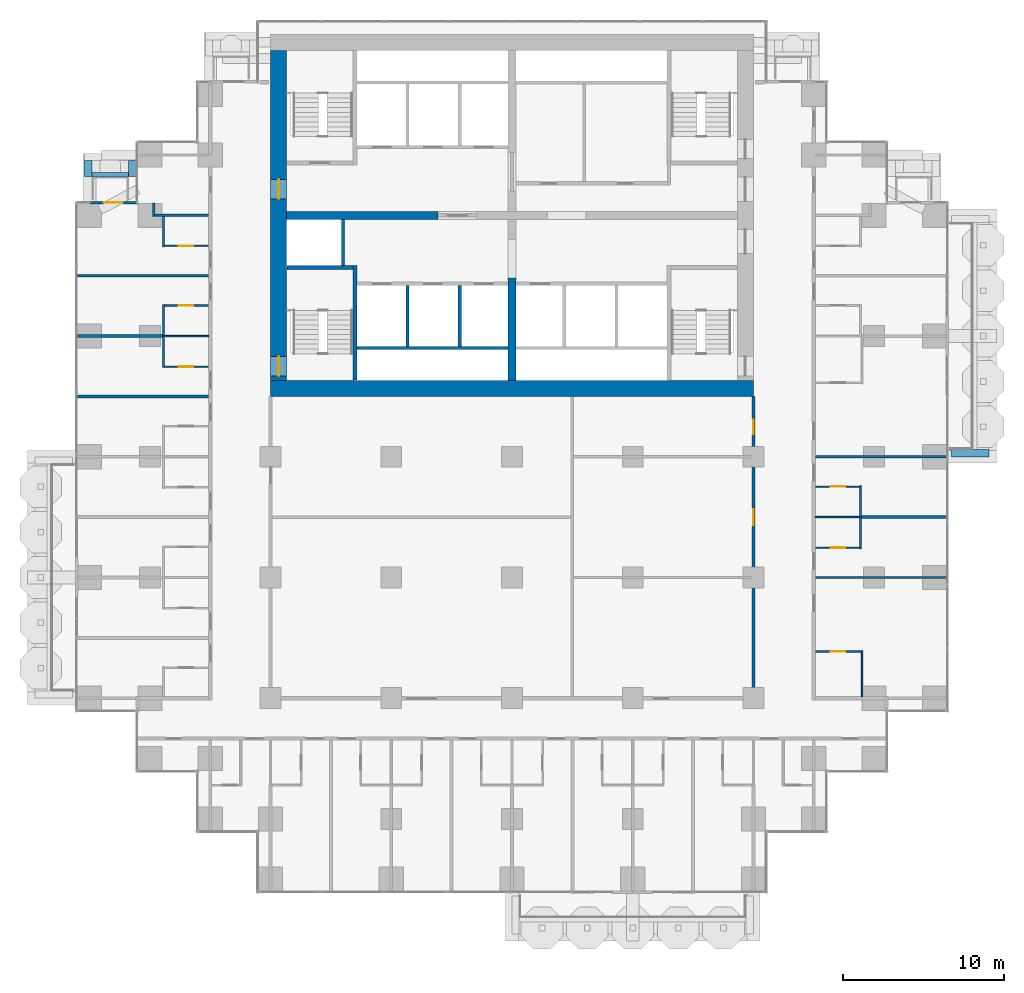
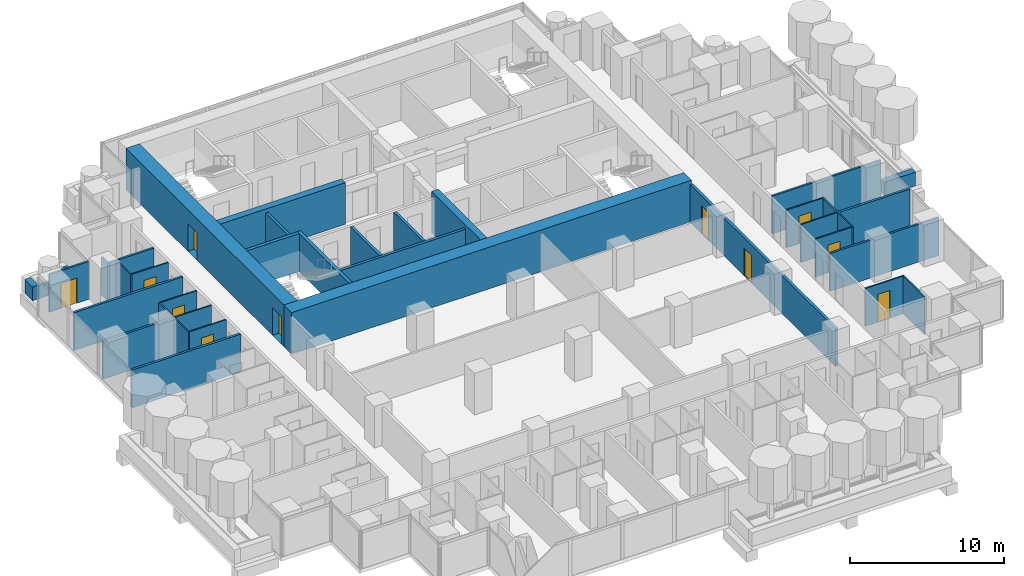
# One storey, part 14 of 20: 36 walls, 11 doors, 11 openings.
"""IFC4 building model written with IfcOpenShell, lengths in metres."""

from ifc_helpers import new_model, si_unit, direction, frame, frame_2d, origin, place, context, subcontext, project, spatial, rectangle, extrude, material, layer, layer_set, type_object, element, fill, save


model = new_model("IFC4")

# Units and contexts
model_context = context("Model", 3, precision=1e-05, world=origin(), true_north=direction((0.0, 1.0)))
body_context = subcontext(model_context, "Body", "Model", "MODEL_VIEW")
ifc_project = project(units=[si_unit("LENGTHUNIT", "METRE"), si_unit("AREAUNIT", "SQUARE_METRE"), si_unit("VOLUMEUNIT", "CUBIC_METRE"), si_unit("PLANEANGLEUNIT", "RADIAN"), si_unit("MASSUNIT", "GRAM", prefix="KILO")], contexts=[model_context])

# Site, building, storey
site_placement = place(None, origin())
site = spatial("IfcSite", under=ifc_project, at=site_placement, CompositionType="ELEMENT")
building_placement = place(site_placement, origin())
building = spatial("IfcBuilding", under=site, at=building_placement, Name="Pilkhan Gate Tower", CompositionType="ELEMENT")
storey_placement = place(building_placement, frame((0.0, 0.0, 85.699951171875)))
storey = spatial("IfcBuildingStorey", under=building, at=storey_placement, Name="L20", CompositionType="ELEMENT", Elevation=85.699951171875)

# Walls
ifc_material_1 = material(Name="Dense blockwork", Category="masonry")
ifc_layer_1 = layer(ifc_material_1, 0.175048828125)
ifc_layer_set_1 = layer_set([ifc_layer_1], Name="Acoustic party wall PW175")
wall_type_1 = type_object("IfcWallType", Name="Acoustic party wall PW175", PredefinedType="PARTITIONING", material=ifc_layer_set_1)
wall_1_placement = place(storey_placement, frame((96.699951171875, 63.75, 0.0), z_axis=(0.0, 0.0, 1.0), x_axis=(1.0, 0.0, 0.0)))
element("IfcWall", 1, at=wall_1_placement, inside=storey, type_object=wall_type_1, Name="Partition L20", PredefinedType="PARTITIONING", context=body_context, shape_type="SweptSolid", body=[
    extrude(rectangle(XDim=5.31494140625, YDim=0.175048828125, at=frame_2d((2.657470703125, 0.0))), origin(), (0.0, 0.0, 1.0), 3.0),
])
wall_2_placement = place(storey_placement, frame((47.985107421875, 71.25, 0.0), z_axis=(0.0, 0.0, 1.0), x_axis=(1.0, 0.0, 0.0)))
element("IfcWall", 2, at=wall_2_placement, inside=storey, type_object=wall_type_1, Name="Partition L20", PredefinedType="PARTITIONING", context=body_context, shape_type="SweptSolid", body=[
    extrude(rectangle(XDim=8.164794921875, YDim=0.175048828125, at=frame_2d((4.08251953125, 0.0))), origin(), (0.0, 0.0, 1.0), 3.0),
])
wall_3_placement = place(storey_placement, frame((47.985107421875, 75.0, 0.0), z_axis=(0.0, 0.0, 1.0), x_axis=(1.0, 0.0, 0.0)))
element("IfcWall", 3, at=wall_3_placement, inside=storey, type_object=wall_type_1, Name="Partition L20", PredefinedType="PARTITIONING", context=body_context, shape_type="SweptSolid", body=[
    extrude(rectangle(XDim=5.31494140625, YDim=0.175048828125, at=frame_2d((2.657470703125, 0.0))), origin(), (0.0, 0.0, 1.0), 3.0),
])
wall_4_placement = place(storey_placement, frame((47.985107421875, 78.75, 0.0), z_axis=(0.0, 0.0, 1.0), x_axis=(1.0, 0.0, 0.0)))
element("IfcWall", 4, at=wall_4_placement, inside=storey, type_object=wall_type_1, Name="Partition L20", PredefinedType="PARTITIONING", context=body_context, shape_type="SweptSolid", body=[
    extrude(rectangle(XDim=8.164794921875, YDim=0.175048828125, at=frame_2d((4.08251953125, 0.0))), origin(), (0.0, 0.0, 1.0), 3.0),
])
ifc_material_2 = material(Name="Concrete C40/50", Category="concrete")
ifc_layer_2 = layer(ifc_material_2, 0.25)
ifc_layer_set_2 = layer_set([ifc_layer_2], Name="Balcony planter BP250")
wall_type_2 = type_object("IfcWallType", Name="Balcony planter BP250", PredefinedType="USERDEFINED", material=ifc_layer_set_2)
wall_5_placement = place(storey_placement, frame((48.89990234375, 85.02490234375, 0.0), z_axis=(0.0, 0.0, 1.0), x_axis=(1.0, 0.0, 0.0)))
element("IfcWall", 5, at=wall_5_placement, inside=storey, type_object=wall_type_2, Name="Balcony planter L20 N", ObjectType="BALCONY PLANTER", PredefinedType="USERDEFINED", context=body_context, shape_type="SweptSolid", body=[
    extrude(rectangle(XDim=2.280029296875, YDim=0.25, at=frame_2d((1.14013671875, 0.0))), origin(), (0.0, 0.0, 1.0), 1.0),
])
ifc_material_3 = material(Name="Board-marked Concrete C40/50", Category="concrete")
ifc_layer_3 = layer(ifc_material_3, 0.449951171875)
ifc_layer_set_3 = layer_set([ifc_layer_3], Name="Balcony planter lip BL450")
wall_type_3 = type_object("IfcWallType", Name="Balcony planter lip BL450", PredefinedType="USERDEFINED", material=ifc_layer_set_3)
wall_6_placement = place(storey_placement, frame((102.300048828125, 67.72509765625, 0.0), z_axis=(0.0, 0.0, 1.0), x_axis=(1.0, 0.0, 0.0)))
element("IfcWall", 6, at=wall_6_placement, inside=storey, type_object=wall_type_3, Name="Balcony planter L20 E", ObjectType="BALCONY PLANTER", PredefinedType="USERDEFINED", context=body_context, shape_type="SweptSolid", body=[
    extrude(rectangle(XDim=2.349853515625, YDim=0.449951171875, at=frame_2d((1.1748046875, 0.0))), origin(), (0.0, 0.0, 1.0), 1.10009765625),
])
for number, where, z_axis, x_axis, name in (
    (7, (48.675048828125, 84.89990234375, 0.0), (0.0, 0.0, 1.0), (0.0, 1.0, 0.0), "Balcony planter L20 N"),
    (8, (51.405029296875, 84.89990234375, 0.0), (0.0, 0.0, 1.0), (0.0, 1.0, 0.0), "Balcony planter L20 N"),
):
    element("IfcWall", number, at=place(storey_placement, frame(where, z_axis=z_axis, x_axis=x_axis)), inside=storey, type_object=wall_type_3, Name=name, ObjectType="BALCONY PLANTER", PredefinedType="USERDEFINED", context=body_context, shape_type="SweptSolid", body=[
        extrude(rectangle(XDim=1.0, YDim=0.449951171875, at=frame_2d((0.5, 0.0))), origin(), (0.0, 0.0, 1.0), 1.10009765625),
    ])
ifc_material_4 = material(Name="Concrete C70/85", Category="concrete")
ifc_layer_4 = layer(ifc_material_4, 1.0)
ifc_layer_set_4 = layer_set([ifc_layer_4], Name="Core wall CW1000 C70/85")
wall_type_4 = type_object("IfcWallType", Name="Core wall CW1000 C70/85", PredefinedType="SHEAR", material=ifc_layer_set_4)
wall_7_placement = place(storey_placement, frame((60.0, 71.75, 0.0), z_axis=(0.0, 0.0, 1.0), x_axis=(1.0, 0.0, 0.0)))
element("IfcWall", 9, at=wall_7_placement, inside=storey, type_object=wall_type_4, Name="Core wall S L20", PredefinedType="SHEAR", context=body_context, shape_type="SweptSolid", body=[
    extrude(rectangle(XDim=30.0, YDim=1.0, at=frame_2d((15.0, 0.0))), origin(), (0.0, 0.0, 1.0), 3.300048828125),
])

# Wall, openings, doors
wall_8_placement = place(storey_placement, frame((60.5, 92.75, 0.0), z_axis=(0.0, 0.0, 1.0), x_axis=(0.0, -1.0, 0.0)))
wall_8 = element("IfcWall", 10, at=wall_8_placement, inside=storey, type_object=wall_type_4, Name="Core wall W L20", PredefinedType="SHEAR", context=body_context, shape_type="SweptSolid", body=[
    extrude(rectangle(XDim=20.5, YDim=1.0, at=frame_2d((10.25, 0.0))), origin(), (0.0, 0.0, 1.0), 3.300048828125),
])
opening_1_placement = place(wall_8_placement, frame((19.02490234375, 0.0, 0.0)))
opening_1 = element("IfcOpeningElement", 11, at=opening_1_placement, cuts=wall_8, Name="Opening L20-04", PredefinedType="OPENING", context=body_context, shape_type="SweptSolid", body=[
    extrude(rectangle(XDim=1.199951171875, YDim=2.199951171875, at=frame_2d((0.60009765625, 1.10009765625))), frame((0.0, 0.510009765625, 0.0), z_axis=(0.0, -1.0, 0.0), x_axis=(1.0, 0.0, 0.0)), (0.0, 0.0, 1.0), 1.02001953125),
])
opening_2_placement = place(wall_8_placement, frame((8.02490234375, 0.0, 0.0)))
opening_2 = element("IfcOpeningElement", 12, at=opening_2_placement, cuts=wall_8, Name="Opening L20-55", PredefinedType="OPENING", context=body_context, shape_type="SweptSolid", body=[
    extrude(rectangle(XDim=1.199951171875, YDim=2.199951171875, at=frame_2d((0.60009765625, 1.10009765625))), frame((0.0, 0.510009765625, 0.0), z_axis=(0.0, -1.0, 0.0), x_axis=(1.0, 0.0, 0.0)), (0.0, 0.0, 1.0), 1.02001953125),
])
ifc_material_5 = material(Name="Steel door, 120 minute fire resisting, self-closing", Category="steel")
door_type_1 = type_object("IfcDoorType", Name="Firefighting lobby door D10 1200x2200", OperationType="SINGLE_SWING_LEFT", PredefinedType="DOOR", material=ifc_material_5)
door_1_placement = place(opening_2_placement, origin())
door_1 = element("IfcDoor", 13, at=door_1_placement, inside=storey, type_object=door_type_1, Name="Core door", OperationType="SINGLE_SWING_LEFT", OverallHeight=2.199951171875, OverallWidth=1.199951171875, PredefinedType="DOOR", context=body_context, shape_type="SweptSolid", body=[
    extrude(rectangle(XDim=1.199951171875, YDim=2.199951171875, at=frame_2d((0.60009765625, 1.10009765625))), frame((0.0, 0.02490234375, 0.0), z_axis=(0.0, -1.0, 0.0), x_axis=(1.0, 0.0, 0.0)), (0.0, 0.0, 1.0), 0.050048828125),
])
fill(opening_2, door_1)
ifc_material_6 = material(Name="Steel door, 120 minute fire resisting, panic bar", Category="steel")
door_type_2 = type_object("IfcDoorType", Name="Stair door D11 1200x2200", OperationType="SINGLE_SWING_LEFT", PredefinedType="DOOR", material=ifc_material_6)
door_2_placement = place(opening_1_placement, origin())
door_2 = element("IfcDoor", 14, at=door_2_placement, inside=storey, type_object=door_type_2, Name="Stair ST2 door", OperationType="SINGLE_SWING_LEFT", OverallHeight=2.199951171875, OverallWidth=1.199951171875, PredefinedType="DOOR", context=body_context, shape_type="SweptSolid", body=[
    extrude(rectangle(XDim=1.199951171875, YDim=2.199951171875, at=frame_2d((0.60009765625, 1.10009765625))), frame((0.0, 0.02490234375, 0.0), z_axis=(0.0, -1.0, 0.0), x_axis=(1.0, 0.0, 0.0)), (0.0, 0.0, 1.0), 0.050048828125),
])
fill(opening_1, door_2)

ifc_layer_5 = layer(ifc_material_1, 0.199951171875)
ifc_layer_set_5 = layer_set([ifc_layer_5], Name="Corridor wall FW200")
wall_type_5 = type_object("IfcWallType", Name="Corridor wall FW200", PredefinedType="PARTITIONING", material=ifc_layer_set_5)
wall_9_placement = place(storey_placement, frame((90.0, 52.39990234375, 0.0), z_axis=(0.0, 0.0, 1.0), x_axis=(0.0, 1.0, 0.0)))
wall_9 = element("IfcWall", 15, at=wall_9_placement, inside=storey, type_object=wall_type_5, Name="Partition L20", PredefinedType="PARTITIONING", context=body_context, shape_type="SweptSolid", body=[
    extrude(rectangle(XDim=18.840087890625, YDim=0.199951171875, at=frame_2d((9.419921875, 0.0))), origin(), (0.0, 0.0, 1.0), 3.0),
])
opening_3_placement = place(wall_9_placement, frame((10.85009765625, 0.0, 0.0)))
opening_3 = element("IfcOpeningElement", 16, at=opening_3_placement, cuts=wall_9, Name="Opening L20-66", PredefinedType="OPENING", context=body_context, shape_type="SweptSolid", body=[
    extrude(rectangle(XDim=1.0, YDim=2.199951171875, at=frame_2d((0.5, 1.10009765625))), frame((0.0, 0.10986328125, 0.0), z_axis=(0.0, -1.0, 0.0), x_axis=(1.0, 0.0, 0.0)), (0.0, 0.0, 1.0), 0.219970703125),
])
opening_4_placement = place(wall_9_placement, frame((16.5, 0.0, 0.0)))
opening_4 = element("IfcOpeningElement", 17, at=opening_4_placement, cuts=wall_9, Name="Opening L20-68", PredefinedType="OPENING", context=body_context, shape_type="SweptSolid", body=[
    extrude(rectangle(XDim=0.89990234375, YDim=2.199951171875, at=frame_2d((0.449951171875, 1.10009765625))), frame((0.0, 0.10986328125, 0.0), z_axis=(0.0, -1.0, 0.0), x_axis=(1.0, 0.0, 0.0)), (0.0, 0.0, 1.0), 0.219970703125),
])
ifc_material_7 = material(Name="Timber flush door, 30 minute fire resisting", Category="wood")
door_type_3 = type_object("IfcDoorType", Name="Room door D03 1000x2200", OperationType="SINGLE_SWING_LEFT", PredefinedType="DOOR", material=ifc_material_7)
door_3_placement = place(opening_3_placement, origin())
door_3 = element("IfcDoor", 18, at=door_3_placement, inside=storey, type_object=door_type_3, Name="Room door", OperationType="SINGLE_SWING_LEFT", OverallHeight=2.199951171875, OverallWidth=1.0, PredefinedType="DOOR", context=body_context, shape_type="SweptSolid", body=[
    extrude(rectangle(XDim=1.0, YDim=2.199951171875, at=frame_2d((0.5, 1.10009765625))), frame((0.0, 0.02490234375, 0.0), z_axis=(0.0, -1.0, 0.0), x_axis=(1.0, 0.0, 0.0)), (0.0, 0.0, 1.0), 0.050048828125),
])
fill(opening_3, door_3)
ifc_material_8 = material(Name="Timber flush door, 60 minute fire resisting, self-closing", Category="wood")
door_type_4 = type_object("IfcDoorType", Name="Store door D05 900x2200", OperationType="SINGLE_SWING_LEFT", PredefinedType="DOOR", material=ifc_material_8)
door_4_placement = place(opening_4_placement, origin())
door_4 = element("IfcDoor", 19, at=door_4_placement, inside=storey, type_object=door_type_4, Name="Store door", OperationType="SINGLE_SWING_LEFT", OverallHeight=2.199951171875, OverallWidth=0.89990234375, PredefinedType="DOOR", context=body_context, shape_type="SweptSolid", body=[
    extrude(rectangle(XDim=0.89990234375, YDim=2.199951171875, at=frame_2d((0.449951171875, 1.10009765625))), frame((0.0, 0.02490234375, 0.0), z_axis=(0.0, -1.0, 0.0), x_axis=(1.0, 0.0, 0.0)), (0.0, 0.0, 1.0), 0.050048828125),
])
fill(opening_4, door_4)

# Wall, opening, door
ifc_material_9 = material(Name="Pale anodised aluminium, clear laminated glazing", Category="aluminium")
ifc_layer_6 = layer(ifc_material_9, 0.14990234375)
ifc_layer_set_6 = layer_set([ifc_layer_6], Name="Facade infill wall IW150")
wall_type_6 = type_object("IfcWallType", Name="Facade infill wall IW150", PredefinedType="SOLIDWALL", material=ifc_layer_set_6)
wall_10_placement = place(storey_placement, frame((48.75, 83.294921875, 0.0), z_axis=(0.0, 0.0, 1.0), x_axis=(1.0, 0.0, 0.0)))
wall_10 = element("IfcWall", 20, at=wall_10_placement, inside=storey, type_object=wall_type_6, Name="Infill wall L20 N", PredefinedType="SOLIDWALL", context=body_context, shape_type="SweptSolid", body=[
    extrude(rectangle(XDim=2.955078125, YDim=0.14990234375, at=frame_2d((1.4775390625, 0.0))), origin(), (0.0, 0.0, 1.0), 3.0),
])
opening_5_placement = place(wall_10_placement, frame((0.87744140625, 0.0, 0.0)))
opening_5 = element("IfcOpeningElement", 21, at=opening_5_placement, cuts=wall_10, Name="Opening D1L", PredefinedType="OPENING", context=body_context, shape_type="SweptSolid", body=[
    extrude(rectangle(XDim=1.199951171875, YDim=2.0, at=frame_2d((0.60009765625, 1.0))), frame((0.0, 0.0849609375, 0.0), z_axis=(0.0, -1.0, 0.0), x_axis=(1.0, 0.0, 0.0)), (0.0, 0.0, 1.0), 0.169921875),
])
ifc_material_10 = material(Name="Pale anodised aluminium, clear glazing", Category="aluminium")
door_type_5 = type_object("IfcDoorType", Name="Balcony door D1L 1200x2000", OperationType="SINGLE_SWING_LEFT", PredefinedType="DOOR", material=ifc_material_10)
door_5_placement = place(opening_5_placement, origin())
door_5 = element("IfcDoor", 22, at=door_5_placement, inside=storey, type_object=door_type_5, Name="Balcony door L20", OperationType="SINGLE_SWING_LEFT", OverallHeight=2.0, OverallWidth=1.199951171875, PredefinedType="DOOR", context=body_context, shape_type="SweptSolid", body=[
    extrude(rectangle(XDim=1.199951171875, YDim=2.0, at=frame_2d((0.60009765625, 1.0))), frame((0.0, 0.02490234375, 0.0), z_axis=(0.0, -1.0, 0.0), x_axis=(1.0, 0.0, 0.0)), (0.0, 0.0, 1.0), 0.050048828125),
])
fill(opening_5, door_5)

# Walls
ifc_material_11 = material(Name="Blockwork partition, plastered both sides", Category="masonry")
ifc_layer_7 = layer(ifc_material_11, 0.14990234375)
ifc_layer_set_7 = layer_set([ifc_layer_7], Name="Partition PW150")
wall_type_7 = type_object("IfcWallType", Name="Partition PW150", PredefinedType="PARTITIONING", material=ifc_layer_set_7)
for number, where, z_axis, x_axis, name in (
    (23, (93.85009765625, 60.0, 0.0), (0.0, 0.0, 1.0), (1.0, 0.0, 0.0), "Partition L20"),
    (24, (93.85009765625, 67.5, 0.0), (0.0, 0.0, 1.0), (1.0, 0.0, 0.0), "Partition L20"),
):
    element("IfcWall", number, at=place(storey_placement, frame(where, z_axis=z_axis, x_axis=x_axis)), inside=storey, type_object=wall_type_7, Name=name, PredefinedType="PARTITIONING", context=body_context, shape_type="SweptSolid", body=[
        extrude(rectangle(XDim=8.164794921875, YDim=0.14990234375, at=frame_2d((4.08251953125, 0.0))), origin(), (0.0, 0.0, 1.0), 3.0),
    ])
wall_11_placement = place(storey_placement, frame((52.81005859375, 82.5, 0.0), z_axis=(0.0, 0.0, 1.0), x_axis=(1.0, 0.0, 0.0)))
element("IfcWall", 25, at=wall_11_placement, inside=storey, type_object=wall_type_7, Name="Partition L20", PredefinedType="PARTITIONING", context=body_context, shape_type="SweptSolid", body=[
    extrude(rectangle(XDim=3.33984375, YDim=0.14990234375, at=frame_2d((1.669921875, 0.0))), origin(), (0.0, 0.0, 1.0), 3.0),
])
wall_12_placement = place(storey_placement, frame((52.735107421875, 82.425048828125, 0.0), z_axis=(0.0, 0.0, 1.0), x_axis=(0.0, 1.0, 0.0)))
element("IfcWall", 26, at=wall_12_placement, inside=storey, type_object=wall_type_7, Name="Partition L20", PredefinedType="PARTITIONING", context=body_context, shape_type="SweptSolid", body=[
    extrude(rectangle(XDim=0.83984375, YDim=0.14990234375, at=frame_2d((0.419921875, 0.0))), origin(), (0.0, 0.0, 1.0), 3.0),
])
ifc_material_12 = material(Name="Reinforced blockwork shaft wall, 120 minute fire resisting", Category="masonry")
ifc_layer_8 = layer(ifc_material_12, 0.199951171875)
ifc_layer_set_8 = layer_set([ifc_layer_8], Name="Shaft wall SW200")
wall_type_8 = type_object("IfcWallType", Name="Shaft wall SW200", PredefinedType="PARTITIONING", material=ifc_layer_set_8)
wall_13_placement = place(storey_placement, frame((65.375, 74.25, 0.0), z_axis=(0.0, 0.0, 1.0), x_axis=(1.0, 0.0, 0.0)))
element("IfcWall", 27, at=wall_13_placement, inside=storey, type_object=wall_type_8, Name="Partition L20", PredefinedType="PARTITIONING", context=body_context, shape_type="SweptSolid", body=[
    extrude(rectangle(XDim=9.364990234375, YDim=0.199951171875, at=frame_2d((4.6826171875, 0.0))), origin(), (0.0, 0.0, 1.0), 3.0),
])
wall_14_placement = place(storey_placement, frame((64.5, 79.375, 0.0), z_axis=(0.0, 0.0, 1.0), x_axis=(0.0, 1.0, 0.0)))
element("IfcWall", 28, at=wall_14_placement, inside=storey, type_object=wall_type_8, Name="Partition L20", PredefinedType="PARTITIONING", context=body_context, shape_type="SweptSolid", body=[
    extrude(rectangle(XDim=2.864990234375, YDim=0.199951171875, at=frame_2d((1.4326171875, 0.0))), origin(), (0.0, 0.0, 1.0), 3.0),
])
for number, where, z_axis, x_axis, name in (
    (29, (68.5, 74.35009765625, 0.0), (0.0, 0.0, 1.0), (0.0, 1.0, 0.0), "Partition L20"),
    (30, (71.75, 74.35009765625, 0.0), (0.0, 0.0, 1.0), (0.0, 1.0, 0.0), "Partition L20"),
):
    element("IfcWall", number, at=place(storey_placement, frame(where, z_axis=z_axis, x_axis=x_axis)), inside=storey, type_object=wall_type_8, Name=name, PredefinedType="PARTITIONING", context=body_context, shape_type="SweptSolid", body=[
        extrude(rectangle(XDim=3.7998046875, YDim=0.199951171875, at=frame_2d((1.89990234375, 0.0))), origin(), (0.0, 0.0, 1.0), 3.0),
    ])
ifc_layer_9 = layer(ifc_material_4, 0.5)
ifc_layer_set_9 = layer_set([ifc_layer_9], Name="Spine wall SW500 C70/85")
wall_type_9 = type_object("IfcWallType", Name="Spine wall SW500 C70/85", PredefinedType="SHEAR", material=ifc_layer_set_9)
wall_15_placement = place(storey_placement, frame((61.0, 82.5, 0.0), z_axis=(0.0, 0.0, 1.0), x_axis=(1.0, 0.0, 0.0)))
element("IfcWall", 31, at=wall_15_placement, inside=storey, type_object=wall_type_9, Name="Spine wall SP-EW1 L20", PredefinedType="SHEAR", context=body_context, shape_type="SweptSolid", body=[
    extrude(rectangle(XDim=9.39990234375, YDim=0.5, at=frame_2d((4.699951171875, 0.0))), origin(), (0.0, 0.0, 1.0), 3.300048828125),
])
wall_16_placement = place(storey_placement, frame((75.0, 72.25, 0.0), z_axis=(0.0, 0.0, 1.0), x_axis=(0.0, 1.0, 0.0)))
element("IfcWall", 32, at=wall_16_placement, inside=storey, type_object=wall_type_9, Name="Spine wall SP-NS-S1 L20", PredefinedType="SHEAR", context=body_context, shape_type="SweptSolid", body=[
    extrude(rectangle(XDim=6.35009765625, YDim=0.5, at=frame_2d((3.175048828125, 0.0))), origin(), (0.0, 0.0, 1.0), 3.300048828125),
])
ifc_material_13 = material(Name="Reinforced blockwork, 120 minute fire resisting", Category="masonry")
ifc_layer_10 = layer(ifc_material_13, 0.25)
ifc_layer_set_10 = layer_set([ifc_layer_10], Name="Stair enclosure wall SE250")
wall_type_10 = type_object("IfcWallType", Name="Stair enclosure wall SE250", PredefinedType="PARTITIONING", material=ifc_layer_set_10)
wall_17_placement = place(storey_placement, frame((61.010009765625, 79.25, 0.0), z_axis=(0.0, 0.0, 1.0), x_axis=(1.0, 0.0, 0.0)))
element("IfcWall", 33, at=wall_17_placement, inside=storey, type_object=wall_type_10, Name="Partition L20", PredefinedType="PARTITIONING", context=body_context, shape_type="SweptSolid", body=[
    extrude(rectangle(XDim=4.114990234375, YDim=0.25, at=frame_2d((2.0576171875, 0.0))), origin(), (0.0, 0.0, 1.0), 3.0),
])
wall_18_placement = place(storey_placement, frame((65.25, 72.260009765625, 0.0), z_axis=(0.0, 0.0, 1.0), x_axis=(0.0, 1.0, 0.0)))
element("IfcWall", 34, at=wall_18_placement, inside=storey, type_object=wall_type_10, Name="Partition L20", PredefinedType="PARTITIONING", context=body_context, shape_type="SweptSolid", body=[
    extrude(rectangle(XDim=7.114990234375, YDim=0.25, at=frame_2d((3.5576171875, 0.0))), origin(), (0.0, 0.0, 1.0), 3.0),
])

# Wall, opening, door
ifc_material_14 = material(Name="Moisture resistant board, tiled")
ifc_layer_11 = layer(ifc_material_14, 0.10009765625)
ifc_layer_set_11 = layer_set([ifc_layer_11], Name="Wet wall PW100")
wall_type_11 = type_object("IfcWallType", Name="Wet wall PW100", PredefinedType="PARTITIONING", material=ifc_layer_set_11)
wall_19_placement = place(storey_placement, frame((93.85009765625, 55.39990234375, 0.0), z_axis=(0.0, 0.0, 1.0), x_axis=(1.0, 0.0, 0.0)))
wall_19 = element("IfcWall", 35, at=wall_19_placement, inside=storey, type_object=wall_type_11, Name="Partition L20", PredefinedType="PARTITIONING", context=body_context, shape_type="SweptSolid", body=[
    extrude(rectangle(XDim=2.849853515625, YDim=0.10009765625, at=frame_2d((1.4248046875, 0.0))), origin(), (0.0, 0.0, 1.0), 3.0),
])
opening_6_placement = place(wall_19_placement, frame((0.949951171875, 0.0, 0.0)))
opening_6 = element("IfcOpeningElement", 36, at=opening_6_placement, cuts=wall_19, Name="Opening L20-43", PredefinedType="OPENING", context=body_context, shape_type="SweptSolid", body=[
    extrude(rectangle(XDim=0.89990234375, YDim=2.199951171875, at=frame_2d((0.449951171875, 1.10009765625))), frame((0.0, 0.06005859375, 0.0), z_axis=(0.0, -1.0, 0.0), x_axis=(1.0, 0.0, 0.0)), (0.0, 0.0, 1.0), 0.1201171875),
])
ifc_material_15 = material(Name="Timber flush door", Category="wood")
door_type_6 = type_object("IfcDoorType", Name="Bathroom door D02 900x2200", OperationType="SINGLE_SWING_RIGHT", PredefinedType="DOOR", material=ifc_material_15)
door_6_placement = place(opening_6_placement, origin())
door_6 = element("IfcDoor", 37, at=door_6_placement, inside=storey, type_object=door_type_6, Name="Bathroom door", OperationType="SINGLE_SWING_RIGHT", OverallHeight=2.199951171875, OverallWidth=0.89990234375, PredefinedType="DOOR", context=body_context, shape_type="SweptSolid", body=[
    extrude(rectangle(XDim=0.89990234375, YDim=2.199951171875, at=frame_2d((0.449951171875, 1.10009765625))), frame((0.0, 0.02490234375, 0.0), z_axis=(0.0, -1.0, 0.0), x_axis=(1.0, 0.0, 0.0)), (0.0, 0.0, 1.0), 0.050048828125),
])
fill(opening_6, door_6)

wall_20_placement = place(storey_placement, frame((93.85009765625, 61.85009765625, 0.0), z_axis=(0.0, 0.0, 1.0), x_axis=(1.0, 0.0, 0.0)))
wall_20 = element("IfcWall", 38, at=wall_20_placement, inside=storey, type_object=wall_type_11, Name="Partition L20", PredefinedType="PARTITIONING", context=body_context, shape_type="SweptSolid", body=[
    extrude(rectangle(XDim=2.75, YDim=0.10009765625, at=frame_2d((1.375, 0.0))), origin(), (0.0, 0.0, 1.0), 3.0),
])
opening_7_placement = place(wall_20_placement, frame((0.949951171875, 0.0, 0.0)))
opening_7 = element("IfcOpeningElement", 39, at=opening_7_placement, cuts=wall_20, Name="Opening L20-45", PredefinedType="OPENING", context=body_context, shape_type="SweptSolid", body=[
    extrude(rectangle(XDim=0.89990234375, YDim=2.199951171875, at=frame_2d((0.449951171875, 1.10009765625))), frame((0.0, 0.06005859375, 0.0), z_axis=(0.0, -1.0, 0.0), x_axis=(1.0, 0.0, 0.0)), (0.0, 0.0, 1.0), 0.1201171875),
])
door_7_placement = place(opening_7_placement, origin())
door_7 = element("IfcDoor", 40, at=door_7_placement, inside=storey, type_object=door_type_6, Name="Bathroom door", OperationType="SINGLE_SWING_RIGHT", OverallHeight=2.199951171875, OverallWidth=0.89990234375, PredefinedType="DOOR", context=body_context, shape_type="SweptSolid", body=[
    extrude(rectangle(XDim=0.89990234375, YDim=2.199951171875, at=frame_2d((0.449951171875, 1.10009765625))), frame((0.0, 0.02490234375, 0.0), z_axis=(0.0, -1.0, 0.0), x_axis=(1.0, 0.0, 0.0)), (0.0, 0.0, 1.0), 0.050048828125),
])
fill(opening_7, door_7)

# Wall
wall_21_placement = place(storey_placement, frame((93.85009765625, 63.75, 0.0), z_axis=(0.0, 0.0, 1.0), x_axis=(1.0, 0.0, 0.0)))
element("IfcWall", 41, at=wall_21_placement, inside=storey, type_object=wall_type_11, Name="Partition L20", PredefinedType="PARTITIONING", context=body_context, shape_type="SweptSolid", body=[
    extrude(rectangle(XDim=2.75, YDim=0.10009765625, at=frame_2d((1.375, 0.0))), origin(), (0.0, 0.0, 1.0), 3.0),
])

# Wall, opening, door
wall_22_placement = place(storey_placement, frame((93.85009765625, 65.64990234375, 0.0), z_axis=(0.0, 0.0, 1.0), x_axis=(1.0, 0.0, 0.0)))
wall_22 = element("IfcWall", 42, at=wall_22_placement, inside=storey, type_object=wall_type_11, Name="Partition L20", PredefinedType="PARTITIONING", context=body_context, shape_type="SweptSolid", body=[
    extrude(rectangle(XDim=2.75, YDim=0.10009765625, at=frame_2d((1.375, 0.0))), origin(), (0.0, 0.0, 1.0), 3.0),
])
opening_8_placement = place(wall_22_placement, frame((0.949951171875, 0.0, 0.0)))
opening_8 = element("IfcOpeningElement", 43, at=opening_8_placement, cuts=wall_22, Name="Opening L20-47", PredefinedType="OPENING", context=body_context, shape_type="SweptSolid", body=[
    extrude(rectangle(XDim=0.89990234375, YDim=2.199951171875, at=frame_2d((0.449951171875, 1.10009765625))), frame((0.0, 0.06005859375, 0.0), z_axis=(0.0, -1.0, 0.0), x_axis=(1.0, 0.0, 0.0)), (0.0, 0.0, 1.0), 0.1201171875),
])
door_8_placement = place(opening_8_placement, origin())
door_8 = element("IfcDoor", 44, at=door_8_placement, inside=storey, type_object=door_type_6, Name="Bathroom door", OperationType="SINGLE_SWING_RIGHT", OverallHeight=2.199951171875, OverallWidth=0.89990234375, PredefinedType="DOOR", context=body_context, shape_type="SweptSolid", body=[
    extrude(rectangle(XDim=0.89990234375, YDim=2.199951171875, at=frame_2d((0.449951171875, 1.10009765625))), frame((0.0, 0.02490234375, 0.0), z_axis=(0.0, -1.0, 0.0), x_axis=(1.0, 0.0, 0.0)), (0.0, 0.0, 1.0), 0.050048828125),
])
fill(opening_8, door_8)

wall_23_placement = place(storey_placement, frame((53.39990234375, 73.10009765625, 0.0), z_axis=(0.0, 0.0, 1.0), x_axis=(1.0, 0.0, 0.0)))
wall_23 = element("IfcWall", 45, at=wall_23_placement, inside=storey, type_object=wall_type_11, Name="Partition L20", PredefinedType="PARTITIONING", context=body_context, shape_type="SweptSolid", body=[
    extrude(rectangle(XDim=2.75, YDim=0.10009765625, at=frame_2d((1.375, 0.0))), origin(), (0.0, 0.0, 1.0), 3.0),
])
opening_9_placement = place(wall_23_placement, frame((0.89990234375, 0.0, 0.0)))
opening_9 = element("IfcOpeningElement", 46, at=opening_9_placement, cuts=wall_23, Name="Opening L20-37", PredefinedType="OPENING", context=body_context, shape_type="SweptSolid", body=[
    extrude(rectangle(XDim=0.89990234375, YDim=2.199951171875, at=frame_2d((0.449951171875, 1.10009765625))), frame((0.0, 0.06005859375, 0.0), z_axis=(0.0, -1.0, 0.0), x_axis=(1.0, 0.0, 0.0)), (0.0, 0.0, 1.0), 0.1201171875),
])
door_9_placement = place(opening_9_placement, origin())
door_9 = element("IfcDoor", 47, at=door_9_placement, inside=storey, type_object=door_type_6, Name="Bathroom door", OperationType="SINGLE_SWING_RIGHT", OverallHeight=2.199951171875, OverallWidth=0.89990234375, PredefinedType="DOOR", context=body_context, shape_type="SweptSolid", body=[
    extrude(rectangle(XDim=0.89990234375, YDim=2.199951171875, at=frame_2d((0.449951171875, 1.10009765625))), frame((0.0, 0.02490234375, 0.0), z_axis=(0.0, -1.0, 0.0), x_axis=(1.0, 0.0, 0.0)), (0.0, 0.0, 1.0), 0.050048828125),
])
fill(opening_9, door_9)

# Wall
wall_24_placement = place(storey_placement, frame((53.39990234375, 75.0, 0.0), z_axis=(0.0, 0.0, 1.0), x_axis=(1.0, 0.0, 0.0)))
element("IfcWall", 48, at=wall_24_placement, inside=storey, type_object=wall_type_11, Name="Partition L20", PredefinedType="PARTITIONING", context=body_context, shape_type="SweptSolid", body=[
    extrude(rectangle(XDim=2.75, YDim=0.10009765625, at=frame_2d((1.375, 0.0))), origin(), (0.0, 0.0, 1.0), 3.0),
])

# Wall, opening, door
wall_25_placement = place(storey_placement, frame((53.39990234375, 76.89990234375, 0.0), z_axis=(0.0, 0.0, 1.0), x_axis=(1.0, 0.0, 0.0)))
wall_25 = element("IfcWall", 49, at=wall_25_placement, inside=storey, type_object=wall_type_11, Name="Partition L20", PredefinedType="PARTITIONING", context=body_context, shape_type="SweptSolid", body=[
    extrude(rectangle(XDim=2.75, YDim=0.10009765625, at=frame_2d((1.375, 0.0))), origin(), (0.0, 0.0, 1.0), 3.0),
])
opening_10_placement = place(wall_25_placement, frame((0.89990234375, 0.0, 0.0)))
opening_10 = element("IfcOpeningElement", 50, at=opening_10_placement, cuts=wall_25, Name="Opening L20-39", PredefinedType="OPENING", context=body_context, shape_type="SweptSolid", body=[
    extrude(rectangle(XDim=0.89990234375, YDim=2.199951171875, at=frame_2d((0.449951171875, 1.10009765625))), frame((0.0, 0.06005859375, 0.0), z_axis=(0.0, -1.0, 0.0), x_axis=(1.0, 0.0, 0.0)), (0.0, 0.0, 1.0), 0.1201171875),
])
door_10_placement = place(opening_10_placement, origin())
door_10 = element("IfcDoor", 51, at=door_10_placement, inside=storey, type_object=door_type_6, Name="Bathroom door", OperationType="SINGLE_SWING_RIGHT", OverallHeight=2.199951171875, OverallWidth=0.89990234375, PredefinedType="DOOR", context=body_context, shape_type="SweptSolid", body=[
    extrude(rectangle(XDim=0.89990234375, YDim=2.199951171875, at=frame_2d((0.449951171875, 1.10009765625))), frame((0.0, 0.02490234375, 0.0), z_axis=(0.0, -1.0, 0.0), x_axis=(1.0, 0.0, 0.0)), (0.0, 0.0, 1.0), 0.050048828125),
])
fill(opening_10, door_10)

wall_26_placement = place(storey_placement, frame((53.39990234375, 80.60009765625, 0.0), z_axis=(0.0, 0.0, 1.0), x_axis=(1.0, 0.0, 0.0)))
wall_26 = element("IfcWall", 52, at=wall_26_placement, inside=storey, type_object=wall_type_11, Name="Partition L20", PredefinedType="PARTITIONING", context=body_context, shape_type="SweptSolid", body=[
    extrude(rectangle(XDim=2.75, YDim=0.10009765625, at=frame_2d((1.375, 0.0))), origin(), (0.0, 0.0, 1.0), 3.0),
])
opening_11_placement = place(wall_26_placement, frame((0.89990234375, 0.0, 0.0)))
opening_11 = element("IfcOpeningElement", 53, at=opening_11_placement, cuts=wall_26, Name="Opening L20-41", PredefinedType="OPENING", context=body_context, shape_type="SweptSolid", body=[
    extrude(rectangle(XDim=0.89990234375, YDim=2.199951171875, at=frame_2d((0.449951171875, 1.10009765625))), frame((0.0, 0.06005859375, 0.0), z_axis=(0.0, -1.0, 0.0), x_axis=(1.0, 0.0, 0.0)), (0.0, 0.0, 1.0), 0.1201171875),
])
door_11_placement = place(opening_11_placement, origin())
door_11 = element("IfcDoor", 54, at=door_11_placement, inside=storey, type_object=door_type_6, Name="Bathroom door", OperationType="SINGLE_SWING_RIGHT", OverallHeight=2.199951171875, OverallWidth=0.89990234375, PredefinedType="DOOR", context=body_context, shape_type="SweptSolid", body=[
    extrude(rectangle(XDim=0.89990234375, YDim=2.199951171875, at=frame_2d((0.449951171875, 1.10009765625))), frame((0.0, 0.02490234375, 0.0), z_axis=(0.0, -1.0, 0.0), x_axis=(1.0, 0.0, 0.0)), (0.0, 0.0, 1.0), 0.050048828125),
])
fill(opening_11, door_11)

# Walls
wall_27_placement = place(storey_placement, frame((53.35009765625, 73.050048828125, 0.0), z_axis=(0.0, 0.0, 1.0), x_axis=(0.0, 1.0, 0.0)))
element("IfcWall", 55, at=wall_27_placement, inside=storey, type_object=wall_type_11, Name="Partition L20", PredefinedType="PARTITIONING", context=body_context, shape_type="SweptSolid", body=[
    extrude(rectangle(XDim=3.89990234375, YDim=0.10009765625, at=frame_2d((1.949951171875, 0.0))), origin(), (0.0, 0.0, 1.0), 3.0),
])
wall_28_placement = place(storey_placement, frame((53.35009765625, 80.550048828125, 0.0), z_axis=(0.0, 0.0, 1.0), x_axis=(0.0, 1.0, 0.0)))
element("IfcWall", 56, at=wall_28_placement, inside=storey, type_object=wall_type_11, Name="Partition L20", PredefinedType="PARTITIONING", context=body_context, shape_type="SweptSolid", body=[
    extrude(rectangle(XDim=1.875, YDim=0.10009765625, at=frame_2d((0.9375, 0.0))), origin(), (0.0, 0.0, 1.0), 3.0),
])
wall_29_placement = place(storey_placement, frame((96.64990234375, 61.800048828125, 0.0), z_axis=(0.0, 0.0, 1.0), x_axis=(0.0, 1.0, 0.0)))
element("IfcWall", 57, at=wall_29_placement, inside=storey, type_object=wall_type_11, Name="Partition L20", PredefinedType="PARTITIONING", context=body_context, shape_type="SweptSolid", body=[
    extrude(rectangle(XDim=3.89990234375, YDim=0.10009765625, at=frame_2d((1.949951171875, 0.0))), origin(), (0.0, 0.0, 1.0), 3.0),
])
wall_30_placement = place(storey_placement, frame((96.75, 52.60009765625, 0.0), z_axis=(0.0, 0.0, 1.0), x_axis=(0.0, 1.0, 0.0)))
element("IfcWall", 58, at=wall_30_placement, inside=storey, type_object=wall_type_11, Name="Partition L20", PredefinedType="PARTITIONING", context=body_context, shape_type="SweptSolid", body=[
    extrude(rectangle(XDim=2.849853515625, YDim=0.10009765625, at=frame_2d((1.4248046875, 0.0))), origin(), (0.0, 0.0, 1.0), 3.0),
])

save(model, "model.ifc")
